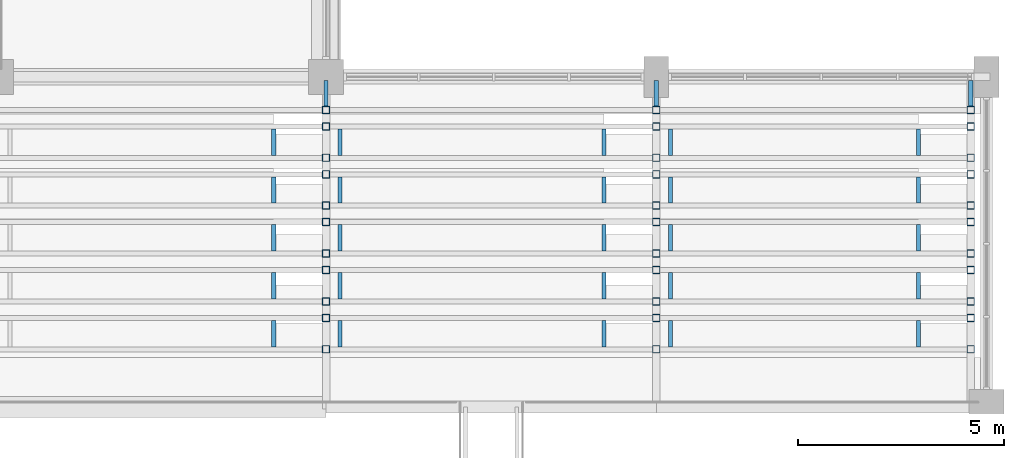
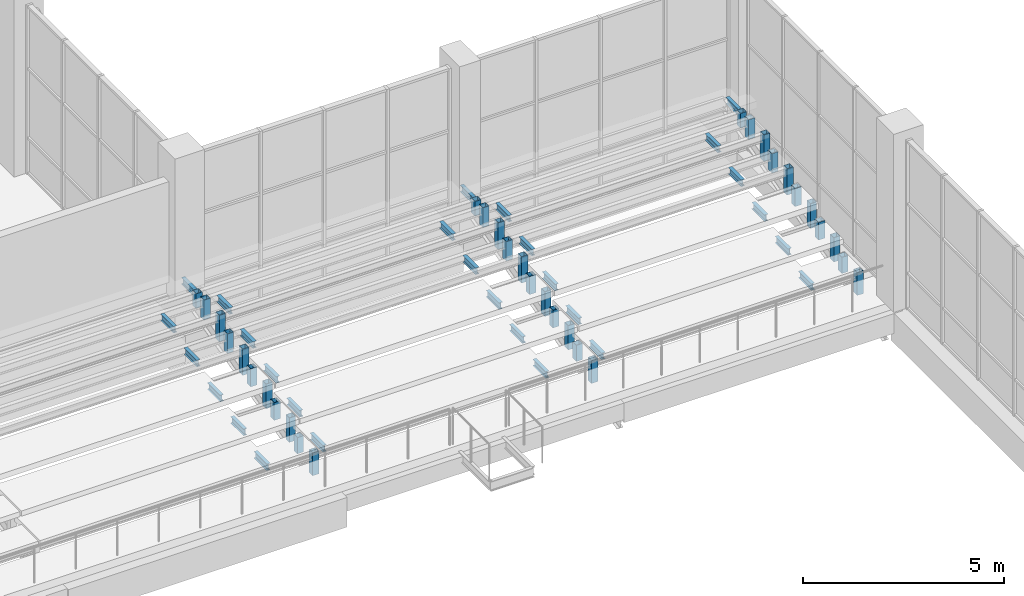
# One storey, part 69 of 122: 33 members, 28 beams.
"""IFC4 building model written with IfcOpenShell, lengths in metres."""

from ifc_helpers import new_model, si_unit, direction, frame, origin, origin_2d, place, context, subcontext, project, spatial, hollow_rectangle, i_section, extrude, material, material_profile, profile_set, type_object, element, save


model = new_model("IFC4")

# Units and contexts
model_context = context("Model", 3, precision=1e-05, world=origin(), true_north=direction((0.0, 1.0)))
body_context = subcontext(model_context, "Body", "Model", "MODEL_VIEW")
ifc_project = project(units=[si_unit("LENGTHUNIT", "METRE"), si_unit("AREAUNIT", "SQUARE_METRE"), si_unit("VOLUMEUNIT", "CUBIC_METRE"), si_unit("PLANEANGLEUNIT", "RADIAN"), si_unit("MASSUNIT", "GRAM", prefix="KILO")], contexts=[model_context])

# Site, building, storey
site_placement = place(None, origin())
site = spatial("IfcSite", under=ifc_project, at=site_placement, CompositionType="ELEMENT")
building_placement = place(site_placement, origin())
building = spatial("IfcBuilding", under=site, at=building_placement, Name="Tenunan Teduh Sports Hall", CompositionType="ELEMENT")
storey_placement = place(building_placement, frame((0.0, 0.0, 5.39990234375)))
storey = spatial("IfcBuildingStorey", under=building, at=storey_placement, Name="L01", CompositionType="ELEMENT", Elevation=5.39990234375)

# Beams
ifc_material_1 = material(Name="Steel S355", Category="steel")
ifc_material_profile_1 = material_profile(ifc_material_1, i_section(OverallWidth=0.10009765625, OverallDepth=0.199951171875, WebThickness=0.005615234375, FlangeThickness=0.008544921875, FilletRadius=0.011962890625, at=origin_2d()), Name="IPE 200")
ifc_profile_set_1 = profile_set([ifc_material_profile_1], Name="Steel S355")
beam_type = type_object("IfcBeamType", Name="JST-IPE200", PredefinedType="JOIST", material=ifc_profile_set_1)
for number, where, z_axis, x_axis, name in (
    (1, (154.0, 45.2900390625, 1.380126953125), (0.0, 1.0, 0.0), (-1.0, 0.0, 0.0), "BM-J-01-L01-2251"),
    (2, (162.0, 45.2900390625, 1.380126953125), (0.0, 1.0, 0.0), (-1.0, 0.0, 0.0), "BM-J-01-L01-2253"),
    (3, (169.6201171875, 45.2900390625, 1.380126953125), (0.0, 1.0, 0.0), (-1.0, 0.0, 0.0), "BM-J-01-L01-2255"),
):
    element("IfcBeam", number, at=place(storey_placement, frame(where, z_axis=z_axis, x_axis=x_axis)), inside=storey, type_object=beam_type, Name=name, PredefinedType="JOIST", context=body_context, shape_type="SweptSolid", body=[
        extrude(i_section(OverallWidth=0.10009765625, OverallDepth=0.199951171875, WebThickness=0.005615234375, FlangeThickness=0.008544921875, FilletRadius=0.011962890625, at=origin_2d()), origin(), (0.0, 0.0, 1.0), 0.619873046875),
    ])
beam_1_placement = place(storey_placement, frame((152.72998046875, 39.4599609375, 0.070068359375), z_axis=(0.0, 1.0, 0.0), x_axis=(-1.0, 0.0, 0.0)))
element("IfcBeam", 4, at=beam_1_placement, inside=storey, type_object=beam_type, Name="BM-J-01-L01-2331", PredefinedType="JOIST", context=body_context, shape_type="SweptSolid", body=[
    extrude(i_section(OverallWidth=0.10009765625, OverallDepth=0.199951171875, WebThickness=0.005615234375, FlangeThickness=0.008544921875, FilletRadius=0.011962890625, at=origin_2d()), origin(), (0.0, 0.0, 1.0), 0.64013671875),
])
for number, where, z_axis, x_axis, name in (
    (5, (152.72998046875, 40.6201171875, 0.425048828125), (0.0, 1.0, 0.0), (-1.0, 0.0, 0.0), "BM-J-01-L01-2335"),
    (6, (152.72998046875, 41.780029296875, 0.75), (0.0, 1.0, 0.0), (-1.0, 0.0, 0.0), "BM-J-01-L01-2339"),
):
    element("IfcBeam", number, at=place(storey_placement, frame(where, z_axis=z_axis, x_axis=x_axis)), inside=storey, type_object=beam_type, Name=name, PredefinedType="JOIST", context=body_context, shape_type="SweptSolid", body=[
        extrude(i_section(OverallWidth=0.10009765625, OverallDepth=0.199951171875, WebThickness=0.005615234375, FlangeThickness=0.008544921875, FilletRadius=0.011962890625, at=origin_2d()), origin(), (0.0, 0.0, 1.0), 0.639892578125),
    ])
beam_2_placement = place(storey_placement, frame((152.72998046875, 42.93994140625, 1.10498046875), z_axis=(0.0, 1.0, 0.0), x_axis=(-1.0, 0.0, 0.0)))
element("IfcBeam", 7, at=beam_2_placement, inside=storey, type_object=beam_type, Name="BM-J-01-L01-2343", PredefinedType="JOIST", context=body_context, shape_type="SweptSolid", body=[
    extrude(i_section(OverallWidth=0.10009765625, OverallDepth=0.199951171875, WebThickness=0.005615234375, FlangeThickness=0.008544921875, FilletRadius=0.011962890625, at=origin_2d()), origin(), (0.0, 0.0, 1.0), 0.64013671875),
])
beam_3_placement = place(storey_placement, frame((152.72998046875, 44.10009765625, 1.43017578125), z_axis=(0.0, 1.0, 0.0), x_axis=(-1.0, 0.0, 0.0)))
element("IfcBeam", 8, at=beam_3_placement, inside=storey, type_object=beam_type, Name="BM-J-01-L01-2347", PredefinedType="JOIST", context=body_context, shape_type="SweptSolid", body=[
    extrude(i_section(OverallWidth=0.10009765625, OverallDepth=0.199951171875, WebThickness=0.005615234375, FlangeThickness=0.008544921875, FilletRadius=0.011962890625, at=origin_2d()), origin(), (0.0, 0.0, 1.0), 0.639892578125),
])
for number, where, z_axis, x_axis, name in (
    (9, (154.340087890625, 39.4599609375, 0.070068359375), (0.0, 1.0, 0.0), (-1.0, 0.0, 0.0), "BM-J-01-L01-2350"),
    (10, (160.72998046875, 39.4599609375, 0.070068359375), (0.0, 1.0, 0.0), (-1.0, 0.0, 0.0), "BM-J-01-L01-2351"),
):
    element("IfcBeam", number, at=place(storey_placement, frame(where, z_axis=z_axis, x_axis=x_axis)), inside=storey, type_object=beam_type, Name=name, PredefinedType="JOIST", context=body_context, shape_type="SweptSolid", body=[
        extrude(i_section(OverallWidth=0.10009765625, OverallDepth=0.199951171875, WebThickness=0.005615234375, FlangeThickness=0.008544921875, FilletRadius=0.011962890625, at=origin_2d()), origin(), (0.0, 0.0, 1.0), 0.64013671875),
    ])
for number, where, z_axis, x_axis, name in (
    (11, (154.340087890625, 40.6201171875, 0.425048828125), (0.0, 1.0, 0.0), (-1.0, 0.0, 0.0), "BM-J-01-L01-2354"),
    (12, (160.72998046875, 40.6201171875, 0.425048828125), (0.0, 1.0, 0.0), (-1.0, 0.0, 0.0), "BM-J-01-L01-2355"),
    (13, (154.340087890625, 41.780029296875, 0.75), (0.0, 1.0, 0.0), (-1.0, 0.0, 0.0), "BM-J-01-L01-2358"),
    (14, (160.72998046875, 41.780029296875, 0.75), (0.0, 1.0, 0.0), (-1.0, 0.0, 0.0), "BM-J-01-L01-2359"),
):
    element("IfcBeam", number, at=place(storey_placement, frame(where, z_axis=z_axis, x_axis=x_axis)), inside=storey, type_object=beam_type, Name=name, PredefinedType="JOIST", context=body_context, shape_type="SweptSolid", body=[
        extrude(i_section(OverallWidth=0.10009765625, OverallDepth=0.199951171875, WebThickness=0.005615234375, FlangeThickness=0.008544921875, FilletRadius=0.011962890625, at=origin_2d()), origin(), (0.0, 0.0, 1.0), 0.639892578125),
    ])
for number, where, z_axis, x_axis, name in (
    (15, (154.340087890625, 42.93994140625, 1.10498046875), (0.0, 1.0, 0.0), (-1.0, 0.0, 0.0), "BM-J-01-L01-2362"),
    (16, (160.72998046875, 42.93994140625, 1.10498046875), (0.0, 1.0, 0.0), (-1.0, 0.0, 0.0), "BM-J-01-L01-2363"),
):
    element("IfcBeam", number, at=place(storey_placement, frame(where, z_axis=z_axis, x_axis=x_axis)), inside=storey, type_object=beam_type, Name=name, PredefinedType="JOIST", context=body_context, shape_type="SweptSolid", body=[
        extrude(i_section(OverallWidth=0.10009765625, OverallDepth=0.199951171875, WebThickness=0.005615234375, FlangeThickness=0.008544921875, FilletRadius=0.011962890625, at=origin_2d()), origin(), (0.0, 0.0, 1.0), 0.64013671875),
    ])
for number, where, z_axis, x_axis, name in (
    (17, (154.340087890625, 44.10009765625, 1.43017578125), (0.0, 1.0, 0.0), (-1.0, 0.0, 0.0), "BM-J-01-L01-2366"),
    (18, (160.72998046875, 44.10009765625, 1.43017578125), (0.0, 1.0, 0.0), (-1.0, 0.0, 0.0), "BM-J-01-L01-2367"),
):
    element("IfcBeam", number, at=place(storey_placement, frame(where, z_axis=z_axis, x_axis=x_axis)), inside=storey, type_object=beam_type, Name=name, PredefinedType="JOIST", context=body_context, shape_type="SweptSolid", body=[
        extrude(i_section(OverallWidth=0.10009765625, OverallDepth=0.199951171875, WebThickness=0.005615234375, FlangeThickness=0.008544921875, FilletRadius=0.011962890625, at=origin_2d()), origin(), (0.0, 0.0, 1.0), 0.639892578125),
    ])
for number, where, z_axis, x_axis, name in (
    (19, (162.340087890625, 39.4599609375, 0.070068359375), (0.0, 1.0, 0.0), (-1.0, 0.0, 0.0), "BM-J-01-L01-2370"),
    (20, (168.35009765625, 39.4599609375, 0.070068359375), (0.0, 1.0, 0.0), (-1.0, 0.0, 0.0), "BM-J-01-L01-2371"),
):
    element("IfcBeam", number, at=place(storey_placement, frame(where, z_axis=z_axis, x_axis=x_axis)), inside=storey, type_object=beam_type, Name=name, PredefinedType="JOIST", context=body_context, shape_type="SweptSolid", body=[
        extrude(i_section(OverallWidth=0.10009765625, OverallDepth=0.199951171875, WebThickness=0.005615234375, FlangeThickness=0.008544921875, FilletRadius=0.011962890625, at=origin_2d()), origin(), (0.0, 0.0, 1.0), 0.64013671875),
    ])
for number, where, z_axis, x_axis, name in (
    (21, (162.340087890625, 40.6201171875, 0.425048828125), (0.0, 1.0, 0.0), (-1.0, 0.0, 0.0), "BM-J-01-L01-2374"),
    (22, (168.35009765625, 40.6201171875, 0.425048828125), (0.0, 1.0, 0.0), (-1.0, 0.0, 0.0), "BM-J-01-L01-2375"),
    (23, (162.340087890625, 41.780029296875, 0.75), (0.0, 1.0, 0.0), (-1.0, 0.0, 0.0), "BM-J-01-L01-2378"),
    (24, (168.35009765625, 41.780029296875, 0.75), (0.0, 1.0, 0.0), (-1.0, 0.0, 0.0), "BM-J-01-L01-2379"),
):
    element("IfcBeam", number, at=place(storey_placement, frame(where, z_axis=z_axis, x_axis=x_axis)), inside=storey, type_object=beam_type, Name=name, PredefinedType="JOIST", context=body_context, shape_type="SweptSolid", body=[
        extrude(i_section(OverallWidth=0.10009765625, OverallDepth=0.199951171875, WebThickness=0.005615234375, FlangeThickness=0.008544921875, FilletRadius=0.011962890625, at=origin_2d()), origin(), (0.0, 0.0, 1.0), 0.639892578125),
    ])
for number, where, z_axis, x_axis, name in (
    (25, (162.340087890625, 42.93994140625, 1.10498046875), (0.0, 1.0, 0.0), (-1.0, 0.0, 0.0), "BM-J-01-L01-2382"),
    (26, (168.35009765625, 42.93994140625, 1.10498046875), (0.0, 1.0, 0.0), (-1.0, 0.0, 0.0), "BM-J-01-L01-2383"),
):
    element("IfcBeam", number, at=place(storey_placement, frame(where, z_axis=z_axis, x_axis=x_axis)), inside=storey, type_object=beam_type, Name=name, PredefinedType="JOIST", context=body_context, shape_type="SweptSolid", body=[
        extrude(i_section(OverallWidth=0.10009765625, OverallDepth=0.199951171875, WebThickness=0.005615234375, FlangeThickness=0.008544921875, FilletRadius=0.011962890625, at=origin_2d()), origin(), (0.0, 0.0, 1.0), 0.64013671875),
    ])
for number, where, z_axis, x_axis, name in (
    (27, (162.340087890625, 44.10009765625, 1.43017578125), (0.0, 1.0, 0.0), (-1.0, 0.0, 0.0), "BM-J-01-L01-2386"),
    (28, (168.35009765625, 44.10009765625, 1.43017578125), (0.0, 1.0, 0.0), (-1.0, 0.0, 0.0), "BM-J-01-L01-2387"),
):
    element("IfcBeam", number, at=place(storey_placement, frame(where, z_axis=z_axis, x_axis=x_axis)), inside=storey, type_object=beam_type, Name=name, PredefinedType="JOIST", context=body_context, shape_type="SweptSolid", body=[
        extrude(i_section(OverallWidth=0.10009765625, OverallDepth=0.199951171875, WebThickness=0.005615234375, FlangeThickness=0.008544921875, FilletRadius=0.011962890625, at=origin_2d()), origin(), (0.0, 0.0, 1.0), 0.639892578125),
    ])

# Members
ifc_material_2 = material(Name="Steel S355", Category="steel")
ifc_material_profile_2 = material_profile(ifc_material_2, hollow_rectangle(XDim=0.179931640625, YDim=0.179931640625, WallThickness=0.010009765625, at=origin_2d()), Name="SHS 180x180x10.0")
ifc_profile_set_2 = profile_set([ifc_material_profile_2], Name="Steel S355")
member_type = type_object("IfcMemberType", Name="MEM-ST-SHS180", PredefinedType="STRUT", material=ifc_profile_set_2)
for number, where, z_axis, x_axis, name in (
    (29, (154.0, 45.199951171875, 1.03515625), (0.0, 0.0, 1.0), (1.0, 0.0, 0.0), "MEM-VS-03-L01-1288"),
    (30, (162.0, 45.199951171875, 1.03515625), (0.0, 0.0, 1.0), (1.0, 0.0, 0.0), "MEM-VS-03-L01-1289"),
    (31, (169.6201171875, 45.199951171875, 1.03515625), (0.0, 0.0, 1.0), (1.0, 0.0, 0.0), "MEM-VS-03-L01-1292"),
):
    element("IfcMember", number, at=place(storey_placement, frame(where, z_axis=z_axis, x_axis=x_axis)), inside=storey, type_object=member_type, Name=name, PredefinedType="STRUT", context=body_context, shape_type="SweptSolid", body=[
        extrude(hollow_rectangle(XDim=0.179931640625, YDim=0.179931640625, WallThickness=0.010009765625, at=origin_2d()), origin(), (0.0, 0.0, 1.0), 0.44482421875),
    ])
member_1_placement = place(storey_placement, frame((154.0, 39.39990234375, -0.523681640625), z_axis=(0.0, 0.0, 1.0), x_axis=(1.0, 0.0, 0.0)))
element("IfcMember", 32, at=member_1_placement, inside=storey, type_object=member_type, Name="MEM-VS-03-L01-1333", PredefinedType="STRUT", context=body_context, shape_type="SweptSolid", body=[
    extrude(hollow_rectangle(XDim=0.179931640625, YDim=0.179931640625, WallThickness=0.010009765625, at=origin_2d()), origin(), (0.0, 0.0, 1.0), 0.69384765625),
])
member_2_placement = place(storey_placement, frame((154.0, 40.159912109375, -0.3193359375), z_axis=(0.0, 0.0, 1.0), x_axis=(1.0, 0.0, 0.0)))
element("IfcMember", 33, at=member_2_placement, inside=storey, type_object=member_type, Name="MEM-VS-03-L01-1334", PredefinedType="STRUT", context=body_context, shape_type="SweptSolid", body=[
    extrude(hollow_rectangle(XDim=0.179931640625, YDim=0.179931640625, WallThickness=0.010009765625, at=origin_2d()), origin(), (0.0, 0.0, 1.0), 0.489501953125),
])
member_3_placement = place(storey_placement, frame((154.0, 40.56005859375, -0.2119140625), z_axis=(0.0, 0.0, 1.0), x_axis=(1.0, 0.0, 0.0)))
element("IfcMember", 34, at=member_3_placement, inside=storey, type_object=member_type, Name="MEM-VS-03-L01-1335", PredefinedType="STRUT", context=body_context, shape_type="SweptSolid", body=[
    extrude(hollow_rectangle(XDim=0.179931640625, YDim=0.179931640625, WallThickness=0.010009765625, at=origin_2d()), origin(), (0.0, 0.0, 1.0), 0.737060546875),
])
member_4_placement = place(storey_placement, frame((154.0, 41.320068359375, -0.007568359375), z_axis=(0.0, 0.0, 1.0), x_axis=(1.0, 0.0, 0.0)))
element("IfcMember", 35, at=member_4_placement, inside=storey, type_object=member_type, Name="MEM-VS-03-L01-1336", PredefinedType="STRUT", context=body_context, shape_type="SweptSolid", body=[
    extrude(hollow_rectangle(XDim=0.179931640625, YDim=0.179931640625, WallThickness=0.010009765625, at=origin_2d()), origin(), (0.0, 0.0, 1.0), 0.53271484375),
])
member_5_placement = place(storey_placement, frame((154.0, 41.719970703125, 0.099853515625), z_axis=(0.0, 0.0, 1.0), x_axis=(1.0, 0.0, 0.0)))
element("IfcMember", 36, at=member_5_placement, inside=storey, type_object=member_type, Name="MEM-VS-03-L01-1337", PredefinedType="STRUT", context=body_context, shape_type="SweptSolid", body=[
    extrude(hollow_rectangle(XDim=0.179931640625, YDim=0.179931640625, WallThickness=0.010009765625, at=origin_2d()), origin(), (0.0, 0.0, 1.0), 0.750244140625),
])
member_6_placement = place(storey_placement, frame((154.0, 42.47998046875, 0.30419921875), z_axis=(0.0, 0.0, 1.0), x_axis=(1.0, 0.0, 0.0)))
element("IfcMember", 37, at=member_6_placement, inside=storey, type_object=member_type, Name="MEM-VS-03-L01-1338", PredefinedType="STRUT", context=body_context, shape_type="SweptSolid", body=[
    extrude(hollow_rectangle(XDim=0.179931640625, YDim=0.179931640625, WallThickness=0.010009765625, at=origin_2d()), origin(), (0.0, 0.0, 1.0), 0.5458984375),
])
member_7_placement = place(storey_placement, frame((154.0, 42.8798828125, 0.41162109375), z_axis=(0.0, 0.0, 1.0), x_axis=(1.0, 0.0, 0.0)))
element("IfcMember", 38, at=member_7_placement, inside=storey, type_object=member_type, Name="MEM-VS-03-L01-1339", PredefinedType="STRUT", context=body_context, shape_type="SweptSolid", body=[
    extrude(hollow_rectangle(XDim=0.179931640625, YDim=0.179931640625, WallThickness=0.010009765625, at=origin_2d()), origin(), (0.0, 0.0, 1.0), 0.79345703125),
])
member_8_placement = place(storey_placement, frame((154.0, 43.639892578125, 0.615966796875), z_axis=(0.0, 0.0, 1.0), x_axis=(1.0, 0.0, 0.0)))
element("IfcMember", 39, at=member_8_placement, inside=storey, type_object=member_type, Name="MEM-VS-03-L01-1340", PredefinedType="STRUT", context=body_context, shape_type="SweptSolid", body=[
    extrude(hollow_rectangle(XDim=0.179931640625, YDim=0.179931640625, WallThickness=0.010009765625, at=origin_2d()), origin(), (0.0, 0.0, 1.0), 0.589111328125),
])
member_9_placement = place(storey_placement, frame((154.0, 44.0400390625, 0.723388671875), z_axis=(0.0, 0.0, 1.0), x_axis=(1.0, 0.0, 0.0)))
element("IfcMember", 40, at=member_9_placement, inside=storey, type_object=member_type, Name="MEM-VS-03-L01-1341", PredefinedType="STRUT", context=body_context, shape_type="SweptSolid", body=[
    extrude(hollow_rectangle(XDim=0.179931640625, YDim=0.179931640625, WallThickness=0.010009765625, at=origin_2d()), origin(), (0.0, 0.0, 1.0), 0.806640625),
])
member_10_placement = place(storey_placement, frame((154.0, 44.800048828125, 0.927490234375), z_axis=(0.0, 0.0, 1.0), x_axis=(1.0, 0.0, 0.0)))
element("IfcMember", 41, at=member_10_placement, inside=storey, type_object=member_type, Name="MEM-VS-03-L01-1342", PredefinedType="STRUT", context=body_context, shape_type="SweptSolid", body=[
    extrude(hollow_rectangle(XDim=0.179931640625, YDim=0.179931640625, WallThickness=0.010009765625, at=origin_2d()), origin(), (0.0, 0.0, 1.0), 0.6025390625),
])
for number, where, z_axis, x_axis, name in (
    (42, (162.0, 39.39990234375, -0.523681640625), (0.0, 0.0, 1.0), (1.0, 0.0, 0.0), "MEM-VS-03-L01-1343"),
    (43, (169.6201171875, 39.39990234375, -0.523681640625), (0.0, 0.0, 1.0), (1.0, 0.0, 0.0), "MEM-VS-03-L01-1344"),
):
    element("IfcMember", number, at=place(storey_placement, frame(where, z_axis=z_axis, x_axis=x_axis)), inside=storey, type_object=member_type, Name=name, PredefinedType="STRUT", context=body_context, shape_type="SweptSolid", body=[
        extrude(hollow_rectangle(XDim=0.179931640625, YDim=0.179931640625, WallThickness=0.010009765625, at=origin_2d()), origin(), (0.0, 0.0, 1.0), 0.69384765625),
    ])
for number, where, z_axis, x_axis, name in (
    (44, (162.0, 40.159912109375, -0.3193359375), (0.0, 0.0, 1.0), (1.0, 0.0, 0.0), "MEM-VS-03-L01-1345"),
    (45, (169.6201171875, 40.159912109375, -0.3193359375), (0.0, 0.0, 1.0), (1.0, 0.0, 0.0), "MEM-VS-03-L01-1346"),
):
    element("IfcMember", number, at=place(storey_placement, frame(where, z_axis=z_axis, x_axis=x_axis)), inside=storey, type_object=member_type, Name=name, PredefinedType="STRUT", context=body_context, shape_type="SweptSolid", body=[
        extrude(hollow_rectangle(XDim=0.179931640625, YDim=0.179931640625, WallThickness=0.010009765625, at=origin_2d()), origin(), (0.0, 0.0, 1.0), 0.489501953125),
    ])
for number, where, z_axis, x_axis, name in (
    (46, (162.0, 40.56005859375, -0.2119140625), (0.0, 0.0, 1.0), (1.0, 0.0, 0.0), "MEM-VS-03-L01-1347"),
    (47, (169.6201171875, 40.56005859375, -0.2119140625), (0.0, 0.0, 1.0), (1.0, 0.0, 0.0), "MEM-VS-03-L01-1348"),
):
    element("IfcMember", number, at=place(storey_placement, frame(where, z_axis=z_axis, x_axis=x_axis)), inside=storey, type_object=member_type, Name=name, PredefinedType="STRUT", context=body_context, shape_type="SweptSolid", body=[
        extrude(hollow_rectangle(XDim=0.179931640625, YDim=0.179931640625, WallThickness=0.010009765625, at=origin_2d()), origin(), (0.0, 0.0, 1.0), 0.737060546875),
    ])
for number, where, z_axis, x_axis, name in (
    (48, (162.0, 41.320068359375, -0.007568359375), (0.0, 0.0, 1.0), (1.0, 0.0, 0.0), "MEM-VS-03-L01-1349"),
    (49, (169.6201171875, 41.320068359375, -0.007568359375), (0.0, 0.0, 1.0), (1.0, 0.0, 0.0), "MEM-VS-03-L01-1350"),
):
    element("IfcMember", number, at=place(storey_placement, frame(where, z_axis=z_axis, x_axis=x_axis)), inside=storey, type_object=member_type, Name=name, PredefinedType="STRUT", context=body_context, shape_type="SweptSolid", body=[
        extrude(hollow_rectangle(XDim=0.179931640625, YDim=0.179931640625, WallThickness=0.010009765625, at=origin_2d()), origin(), (0.0, 0.0, 1.0), 0.53271484375),
    ])
for number, where, z_axis, x_axis, name in (
    (50, (162.0, 41.719970703125, 0.099853515625), (0.0, 0.0, 1.0), (1.0, 0.0, 0.0), "MEM-VS-03-L01-1351"),
    (51, (169.6201171875, 41.719970703125, 0.099853515625), (0.0, 0.0, 1.0), (1.0, 0.0, 0.0), "MEM-VS-03-L01-1352"),
):
    element("IfcMember", number, at=place(storey_placement, frame(where, z_axis=z_axis, x_axis=x_axis)), inside=storey, type_object=member_type, Name=name, PredefinedType="STRUT", context=body_context, shape_type="SweptSolid", body=[
        extrude(hollow_rectangle(XDim=0.179931640625, YDim=0.179931640625, WallThickness=0.010009765625, at=origin_2d()), origin(), (0.0, 0.0, 1.0), 0.750244140625),
    ])
for number, where, z_axis, x_axis, name in (
    (52, (162.0, 42.47998046875, 0.30419921875), (0.0, 0.0, 1.0), (1.0, 0.0, 0.0), "MEM-VS-03-L01-1353"),
    (53, (169.6201171875, 42.47998046875, 0.30419921875), (0.0, 0.0, 1.0), (1.0, 0.0, 0.0), "MEM-VS-03-L01-1354"),
):
    element("IfcMember", number, at=place(storey_placement, frame(where, z_axis=z_axis, x_axis=x_axis)), inside=storey, type_object=member_type, Name=name, PredefinedType="STRUT", context=body_context, shape_type="SweptSolid", body=[
        extrude(hollow_rectangle(XDim=0.179931640625, YDim=0.179931640625, WallThickness=0.010009765625, at=origin_2d()), origin(), (0.0, 0.0, 1.0), 0.5458984375),
    ])
for number, where, z_axis, x_axis, name in (
    (54, (162.0, 42.8798828125, 0.41162109375), (0.0, 0.0, 1.0), (1.0, 0.0, 0.0), "MEM-VS-03-L01-1355"),
    (55, (169.6201171875, 42.8798828125, 0.41162109375), (0.0, 0.0, 1.0), (1.0, 0.0, 0.0), "MEM-VS-03-L01-1356"),
):
    element("IfcMember", number, at=place(storey_placement, frame(where, z_axis=z_axis, x_axis=x_axis)), inside=storey, type_object=member_type, Name=name, PredefinedType="STRUT", context=body_context, shape_type="SweptSolid", body=[
        extrude(hollow_rectangle(XDim=0.179931640625, YDim=0.179931640625, WallThickness=0.010009765625, at=origin_2d()), origin(), (0.0, 0.0, 1.0), 0.79345703125),
    ])
for number, where, z_axis, x_axis, name in (
    (56, (162.0, 43.639892578125, 0.615966796875), (0.0, 0.0, 1.0), (1.0, 0.0, 0.0), "MEM-VS-03-L01-1357"),
    (57, (169.6201171875, 43.639892578125, 0.615966796875), (0.0, 0.0, 1.0), (1.0, 0.0, 0.0), "MEM-VS-03-L01-1358"),
):
    element("IfcMember", number, at=place(storey_placement, frame(where, z_axis=z_axis, x_axis=x_axis)), inside=storey, type_object=member_type, Name=name, PredefinedType="STRUT", context=body_context, shape_type="SweptSolid", body=[
        extrude(hollow_rectangle(XDim=0.179931640625, YDim=0.179931640625, WallThickness=0.010009765625, at=origin_2d()), origin(), (0.0, 0.0, 1.0), 0.589111328125),
    ])
for number, where, z_axis, x_axis, name in (
    (58, (162.0, 44.0400390625, 0.723388671875), (0.0, 0.0, 1.0), (1.0, 0.0, 0.0), "MEM-VS-03-L01-1359"),
    (59, (169.6201171875, 44.0400390625, 0.723388671875), (0.0, 0.0, 1.0), (1.0, 0.0, 0.0), "MEM-VS-03-L01-1360"),
):
    element("IfcMember", number, at=place(storey_placement, frame(where, z_axis=z_axis, x_axis=x_axis)), inside=storey, type_object=member_type, Name=name, PredefinedType="STRUT", context=body_context, shape_type="SweptSolid", body=[
        extrude(hollow_rectangle(XDim=0.179931640625, YDim=0.179931640625, WallThickness=0.010009765625, at=origin_2d()), origin(), (0.0, 0.0, 1.0), 0.806640625),
    ])
for number, where, z_axis, x_axis, name in (
    (60, (162.0, 44.800048828125, 0.927490234375), (0.0, 0.0, 1.0), (1.0, 0.0, 0.0), "MEM-VS-03-L01-1361"),
    (61, (169.6201171875, 44.800048828125, 0.927490234375), (0.0, 0.0, 1.0), (1.0, 0.0, 0.0), "MEM-VS-03-L01-1362"),
):
    element("IfcMember", number, at=place(storey_placement, frame(where, z_axis=z_axis, x_axis=x_axis)), inside=storey, type_object=member_type, Name=name, PredefinedType="STRUT", context=body_context, shape_type="SweptSolid", body=[
        extrude(hollow_rectangle(XDim=0.179931640625, YDim=0.179931640625, WallThickness=0.010009765625, at=origin_2d()), origin(), (0.0, 0.0, 1.0), 0.6025390625),
    ])

save(model, "model.ifc")
